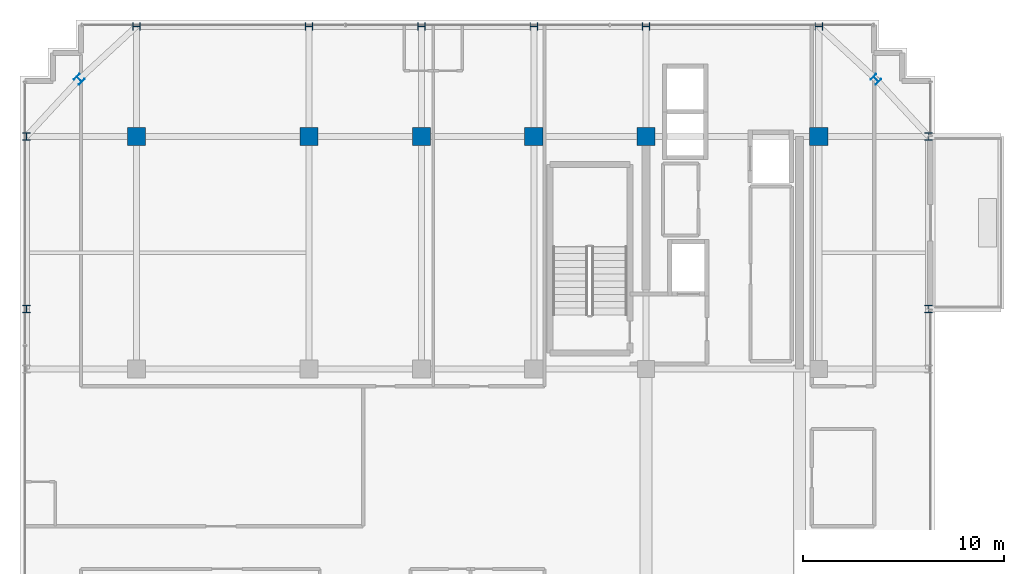
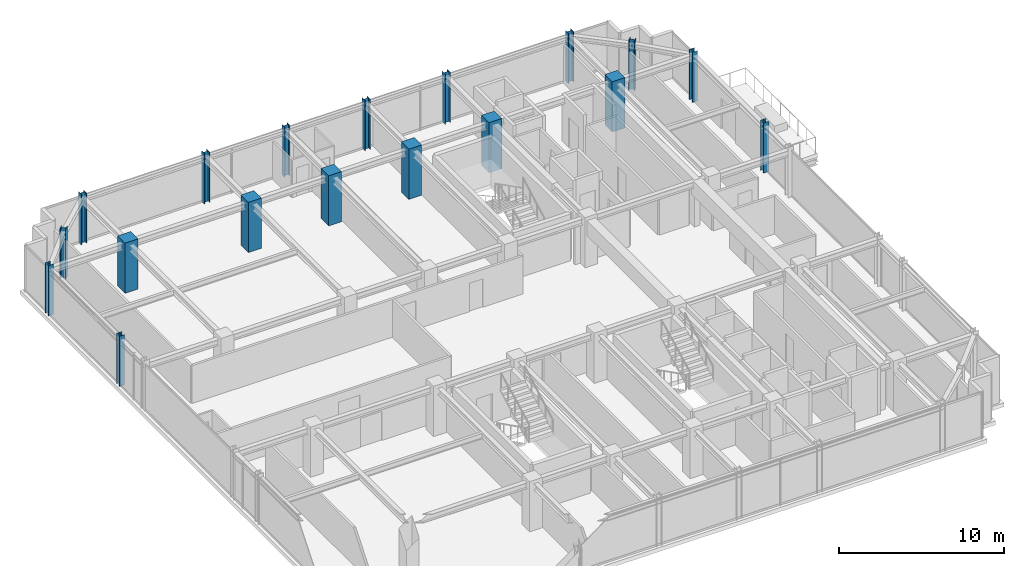
# One storey, part 3 of 32: 18 columns.
"""IFC4 building model written with IfcOpenShell, lengths in metres."""

from ifc_helpers import new_model, si_unit, direction, frame, origin, origin_2d, place, context, subcontext, project, spatial, rectangle, i_section, extrude, source, transform, mapped, material, material_profile, profile_set, type_object, element, save


model = new_model("IFC4")

# Units and contexts
model_context = context("Model", 3, precision=1e-05, world=origin(), true_north=direction((0.0, 1.0)))
body_context = subcontext(model_context, "Body", "Model", "MODEL_VIEW")
ifc_project = project(units=[si_unit("LENGTHUNIT", "METRE"), si_unit("AREAUNIT", "SQUARE_METRE"), si_unit("VOLUMEUNIT", "CUBIC_METRE"), si_unit("PLANEANGLEUNIT", "RADIAN"), si_unit("MASSUNIT", "GRAM", prefix="KILO")], contexts=[model_context])

# Site, building, storey
site_placement = place(None, origin())
site = spatial("IfcSite", under=ifc_project, at=site_placement, CompositionType="ELEMENT")
building_placement = place(site_placement, origin())
building = spatial("IfcBuilding", under=site, at=building_placement, Name="Nahalor Promenade Grand Hotel", CompositionType="ELEMENT")
storey_placement = place(building_placement, frame((0.0, 0.0, 285.050048828125)))
storey = spatial("IfcBuildingStorey", under=building, at=storey_placement, Name="L73", CompositionType="ELEMENT", Elevation=285.050048828125)

# Columns
ifc_material_1 = material(Name="Concrete B-50 (C40/50)", Category="concrete")
ifc_material_profile_1 = material_profile(ifc_material_1, rectangle(XDim=0.9, YDim=0.9, at=origin_2d()), Name="RC 900x900")
ifc_profile_set_1 = profile_set([ifc_material_profile_1], Name="Concrete B-50 (C40/50)")
column_type_1 = type_object("IfcColumnType", Name="Col-RC-900", PredefinedType="COLUMN", material=ifc_profile_set_1)
shared_shape_1 = source(origin(), body_context, "Body", "SweptSolid", [
    extrude(rectangle(XDim=0.9, YDim=0.9, at=origin_2d()), origin(), (0.0, 0.0, 1.0), 3.704833984375),
])
for number, where, z_axis, x_axis, name in (
    (1, (-17.0, 17.0, 0.0), (0.0, 0.0, 1.0), (1.0, 0.0, 0.0), "COL-L73-I03"),
    (2, (-8.39990234375, 17.0, 0.0), (0.0, 0.0, 1.0), (1.0, 0.0, 0.0), "COL-L73-I13"),
    (3, (-2.800048828125, 17.0, 0.0), (0.0, 0.0, 1.0), (1.0, 0.0, 0.0), "COL-L73-I23"),
    (4, (2.800048828125, 17.0, 0.0), (0.0, 0.0, 1.0), (1.0, 0.0, 0.0), "COL-L73-I33"),
    (5, (8.39990234375, 17.0, 0.0), (0.0, 0.0, 1.0), (1.0, 0.0, 0.0), "COL-L73-I43"),
    (6, (17.0, 17.0, 0.0), (0.0, 0.0, 1.0), (1.0, 0.0, 0.0), "COL-L73-I53"),
):
    element("IfcColumn", number, at=place(storey_placement, frame(where, z_axis=z_axis, x_axis=x_axis)), inside=storey, type_object=column_type_1, Name=name, PredefinedType="COLUMN", context=body_context, shape_type="MappedRepresentation", body=[
        mapped(shared_shape_1, transform((0.0, 0.0, 0.0), scale=1.0)),
    ])
ifc_material_2 = material(Name="Steel S355JR", Category="steel")
ifc_material_profile_2 = material_profile(ifc_material_2, i_section(OverallWidth=0.374, OverallDepth=0.374, WebThickness=0.0144, FlangeThickness=0.0229, at=origin_2d()), Name="HD 360x262")
ifc_profile_set_2 = profile_set([ifc_material_profile_2], Name="Steel S355JR")
column_type_2 = type_object("IfcColumnType", Name="Col-Steel-HD262", PredefinedType="COLUMN", material=ifc_profile_set_2)
shared_shape_2 = source(origin(), body_context, "Body", "SweptSolid", [
    extrude(i_section(OverallWidth=0.374, OverallDepth=0.374, WebThickness=0.0144, FlangeThickness=0.0229, at=origin_2d()), origin(), (0.0, 0.0, 1.0), 3.704833984375),
])
for number, where, z_axis, x_axis, name in (
    (7, (-22.47998046875, 8.39990234375, 0.0), (0.0, 0.0, 1.0), (1.0, 0.0, 0.0), "COL-L73-PW-W4"),
    (8, (22.47998046875, 8.39990234375, 0.0), (0.0, 0.0, 1.0), (1.0, 0.0, 0.0), "COL-L73-PW-E4"),
    (9, (-22.47998046875, 17.0, 0.0), (0.0, 0.0, 1.0), (1.0, 0.0, 0.0), "COL-L73-PW-W5"),
    (10, (22.47998046875, 17.0, 0.0), (0.0, 0.0, 1.0), (1.0, 0.0, 0.0), "COL-L73-PW-E5"),
    (11, (-17.0, 22.47998046875, 0.0), (0.0, 0.0, 1.0), (0.0, 1.0, 0.0), "COL-L73-PN-N0"),
    (12, (-8.39990234375, 22.47998046875, 0.0), (0.0, 0.0, 1.0), (0.0, 1.0, 0.0), "COL-L73-PN-N1"),
    (13, (-2.800048828125, 22.47998046875, 0.0), (0.0, 0.0, 1.0), (0.0, 1.0, 0.0), "COL-L73-PN-N2"),
    (14, (2.800048828125, 22.47998046875, 0.0), (0.0, 0.0, 1.0), (0.0, 1.0, 0.0), "COL-L73-PN-N3"),
    (15, (8.39990234375, 22.47998046875, 0.0), (0.0, 0.0, 1.0), (0.0, 1.0, 0.0), "COL-L73-PN-N4"),
    (16, (17.0, 22.47998046875, 0.0), (0.0, 0.0, 1.0), (0.0, 1.0, 0.0), "COL-L73-PN-N5"),
    (17, (-19.85009765625, 19.85009765625, 0.0), (0.0, 0.0, 1.0), (0.707106781187, 0.707106781187, 0.0), "COL-L73-CRN-NW"),
    (18, (19.85009765625, 19.85009765625, 0.0), (0.0, 0.0, 1.0), (0.707106781187, 0.707106781187, 0.0), "COL-L73-CRN-NE"),
):
    element("IfcColumn", number, at=place(storey_placement, frame(where, z_axis=z_axis, x_axis=x_axis)), inside=storey, type_object=column_type_2, Name=name, PredefinedType="COLUMN", context=body_context, shape_type="MappedRepresentation", body=[
        mapped(shared_shape_2, transform((0.0, 0.0, 0.0), scale=1.0)),
    ])

save(model, "model.ifc")
